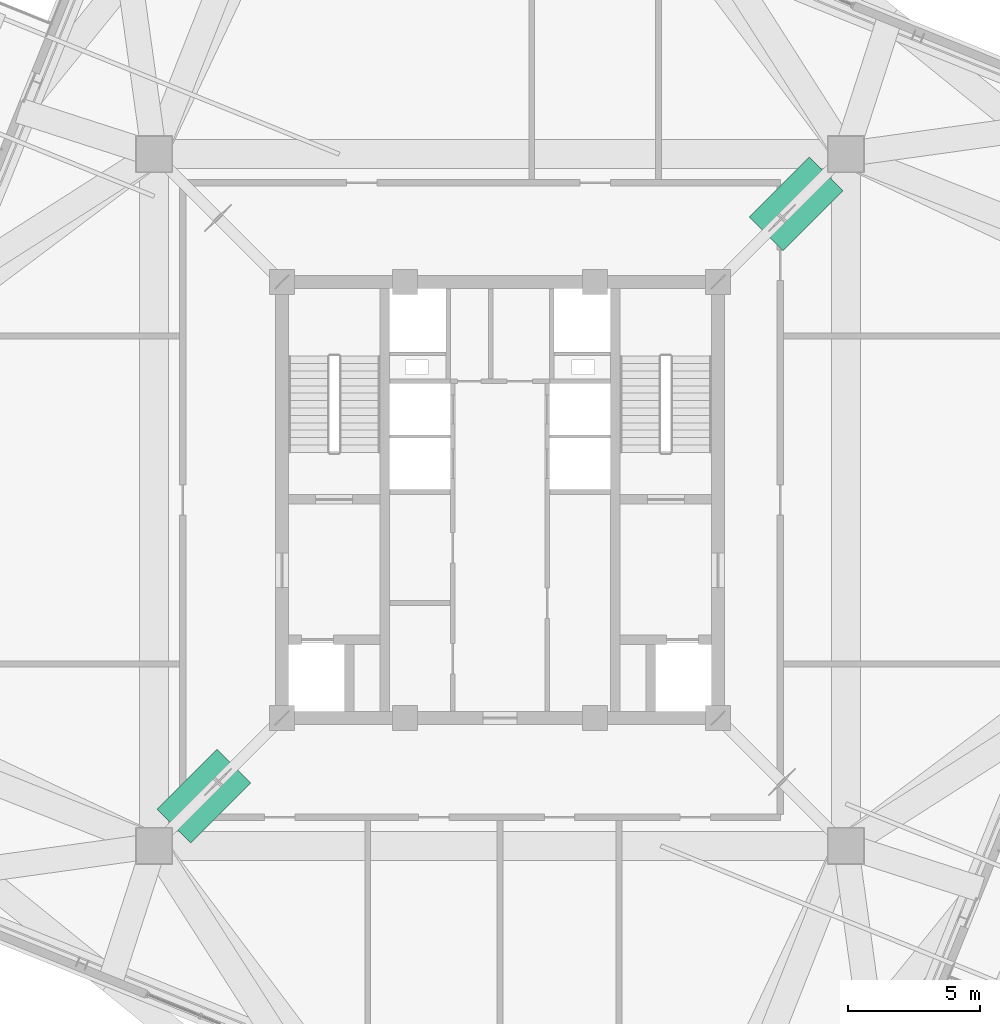
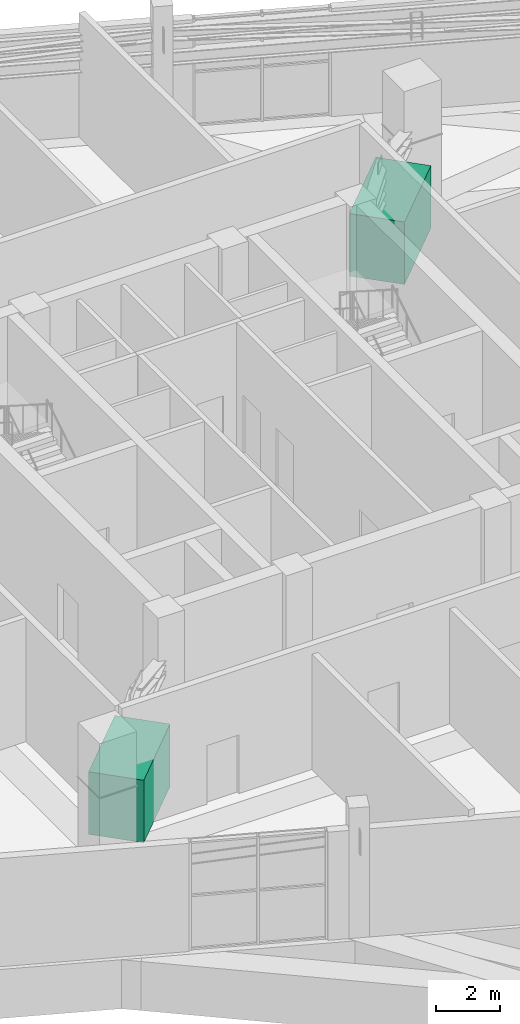
# One storey, part 20 of 20: 2 unitary equipment elements.
"""IFC4 building model written with IfcOpenShell, lengths in metres."""

from ifc_helpers import new_model, si_unit, direction, frame, origin, origin_2d, place, context, subcontext, project, spatial, rectangle, extrude, source, transform, mapped, material, type_object, element, save


model = new_model("IFC4")

# Units and contexts
model_context = context("Model", 3, precision=1e-05, world=origin(), true_north=direction((0.0, 1.0)))
body_context = subcontext(model_context, "Body", "Model", "MODEL_VIEW")
ifc_project = project(units=[si_unit("LENGTHUNIT", "METRE"), si_unit("AREAUNIT", "SQUARE_METRE"), si_unit("VOLUMEUNIT", "CUBIC_METRE"), si_unit("PLANEANGLEUNIT", "RADIAN"), si_unit("MASSUNIT", "GRAM", prefix="KILO"), si_unit("THERMODYNAMICTEMPERATUREUNIT", "KELVIN")], contexts=[model_context])

# Site, building, storey
site_placement = place(None, origin())
site = spatial("IfcSite", under=ifc_project, at=site_placement, CompositionType="ELEMENT")
building_placement = place(site_placement, origin())
building = spatial("IfcBuilding", under=site, at=building_placement, Name="Kosmvard Interchange Tower", CompositionType="ELEMENT")
storey_placement = place(building_placement, frame((0.0, 0.0, 260.199951171875)))
storey = spatial("IfcBuildingStorey", under=building, at=storey_placement, Name="L63", CompositionType="ELEMENT", Elevation=260.199951171875)

# Unitary equipment
ifc_material = material(Name="Steel S355", Category="steel")
unitary_equipment_type = type_object("IfcUnitaryEquipmentType", Name="Centrifugal Water-Cooled Chiller & Heat Recovery Unit", PredefinedType="USERDEFINED", material=ifc_material)
shared_shape = source(origin(), body_context, "Body", "SweptSolid", [
    extrude(rectangle(XDim=3.199951171875, YDim=1.800048828125, at=origin_2d()), origin(), (0.0, 0.0, 1.0), 2.39990234375),
])
for number, where, z_axis, x_axis, name in (
    (1, (11.199951171875, 11.199951171875, 0.0), (0.0, 0.0, 1.0), (0.707106781187, 0.707106781187, 0.0), "L63 Zone Plant Unit CH1"),
    (2, (-11.199951171875, -11.199951171875, 0.0), (0.0, 0.0, 1.0), (0.707106781187, 0.707106781187, 0.0), "L63 Zone Plant Unit AH1"),
):
    element("IfcUnitaryEquipment", number, at=place(storey_placement, frame(where, z_axis=z_axis, x_axis=x_axis)), inside=storey, type_object=unitary_equipment_type, Name=name, ObjectType="CHILLER", PredefinedType="USERDEFINED", context=body_context, shape_type="MappedRepresentation", body=[
        mapped(shared_shape, transform((0.0, 0.0, 0.0), scale=1.0)),
    ])

save(model, "model.ifc")
